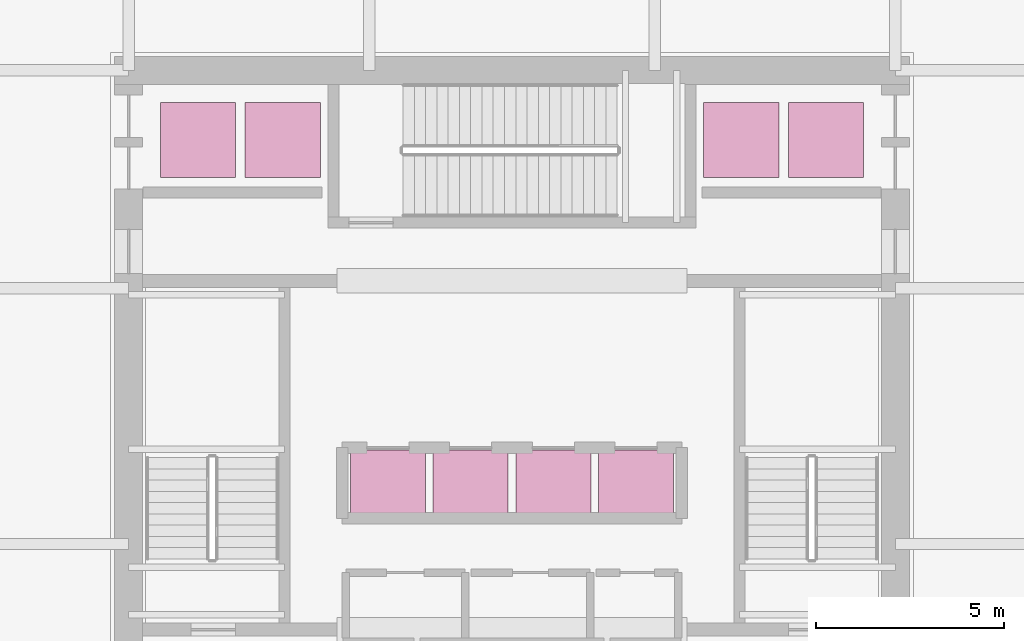
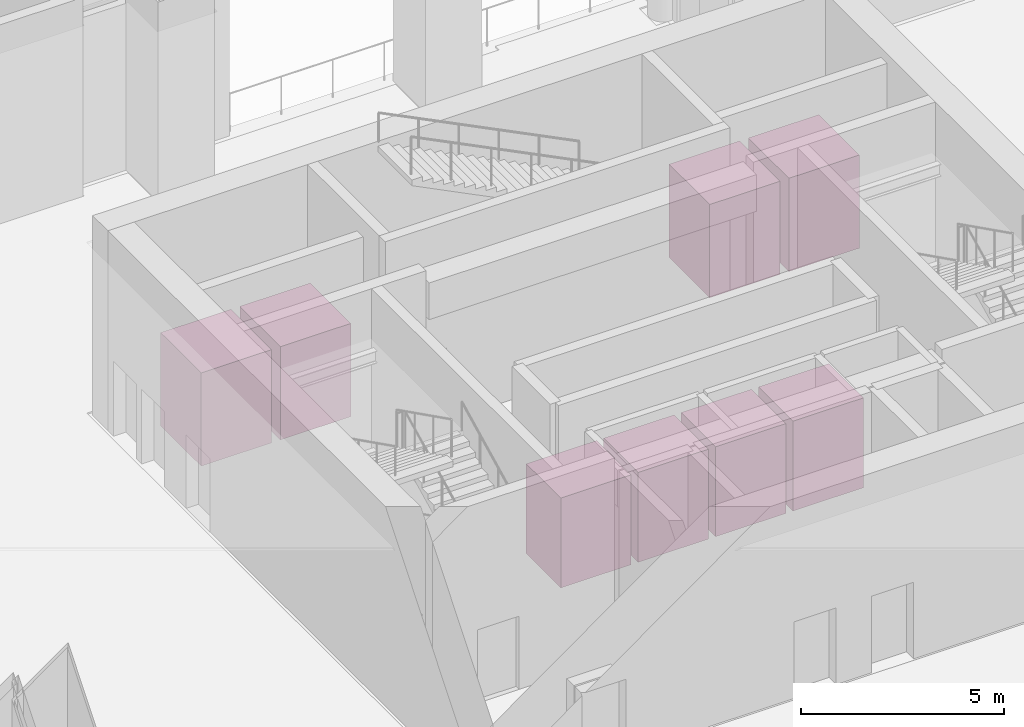
# One storey, part 32 of 32: 8 transport elements.
"""IFC4 building model written with IfcOpenShell, lengths in metres."""

from ifc_helpers import new_model, si_unit, direction, frame, origin, origin_2d, place, context, subcontext, project, spatial, rectangle, extrude, material, type_object, element, save


model = new_model("IFC4")

# Units and contexts
model_context = context("Model", 3, precision=1e-05, world=origin(), true_north=direction((0.0, 1.0)))
body_context = subcontext(model_context, "Body", "Model", "MODEL_VIEW")
ifc_project = project(units=[si_unit("LENGTHUNIT", "METRE"), si_unit("AREAUNIT", "SQUARE_METRE"), si_unit("VOLUMEUNIT", "CUBIC_METRE"), si_unit("PLANEANGLEUNIT", "RADIAN"), si_unit("MASSUNIT", "GRAM", prefix="KILO")], contexts=[model_context])

# Site, building, storey
site_placement = place(None, origin())
site = spatial("IfcSite", under=ifc_project, at=site_placement, CompositionType="ELEMENT")
building_placement = place(site_placement, origin())
building = spatial("IfcBuilding", under=site, at=building_placement, Name="Punatoya Terracotta Tower", CompositionType="ELEMENT")
storey_placement = place(building_placement, origin())
storey = spatial("IfcBuildingStorey", under=building, at=storey_placement, Name="L00", CompositionType="ELEMENT", Elevation=0.0)

# Transport elements
ifc_material = material(Name="Brushed Stainless Steel Car Assembly", Category="steel")
transport_element_type_1 = type_object("IfcTransportElementType", Name="LFT-PAS", PredefinedType="ELEVATOR", material=ifc_material)
for number, where, z_axis, x_axis, name in (
    (1, (-3.300048828125, -1.75, 0.0), (0.0, 0.0, 1.0), (1.0, 0.0, 0.0), "Elevator PL-L1 Car (L00-L28)"),
    (2, (-1.10009765625, -1.75, 0.0), (0.0, 0.0, 1.0), (1.0, 0.0, 0.0), "Elevator PL-L2 Car (L00-L28)"),
    (3, (1.10009765625, -1.75, 0.0), (0.0, 0.0, 1.0), (1.0, 0.0, 0.0), "Elevator PL-L3 Car (L00-L28)"),
    (4, (3.300048828125, -1.75, 0.0), (0.0, 0.0, 1.0), (1.0, 0.0, 0.0), "Elevator PL-L4 Car (L00-L28)"),
):
    element("IfcTransportElement", number, at=place(storey_placement, frame(where, z_axis=z_axis, x_axis=x_axis)), inside=storey, type_object=transport_element_type_1, Name=name, PredefinedType="ELEVATOR", context=body_context, shape_type="SweptSolid", body=[
        extrude(rectangle(XDim=2.0, YDim=1.699951171875, at=origin_2d()), origin(), (0.0, 0.0, 1.0), 2.699951171875),
    ])
transport_element_type_2 = type_object("IfcTransportElementType", Name="LFT-SHT", PredefinedType="ELEVATOR", material=ifc_material)
for number, where, z_axis, x_axis, name in (
    (5, (-8.35009765625, 7.35009765625, 0.0), (0.0, 0.0, 1.0), (1.0, 0.0, 0.0), "Elevator SL-1A Car (L00-L31)"),
    (6, (-6.10009765625, 7.35009765625, 0.0), (0.0, 0.0, 1.0), (1.0, 0.0, 0.0), "Elevator SL-1B Car (L00-L31)"),
    (7, (6.10009765625, 7.35009765625, 0.0), (0.0, 0.0, 1.0), (1.0, 0.0, 0.0), "Elevator SL-2A Car (L00-L58)"),
    (8, (8.35009765625, 7.35009765625, 0.0), (0.0, 0.0, 1.0), (1.0, 0.0, 0.0), "Elevator SL-2B Car (L00-L58)"),
):
    element("IfcTransportElement", number, at=place(storey_placement, frame(where, z_axis=z_axis, x_axis=x_axis)), inside=storey, type_object=transport_element_type_2, Name=name, PredefinedType="ELEVATOR", context=body_context, shape_type="SweptSolid", body=[
        extrude(rectangle(XDim=2.0, YDim=2.0, at=origin_2d()), origin(), (0.0, 0.0, 1.0), 2.800048828125),
    ])

save(model, "model.ifc")
